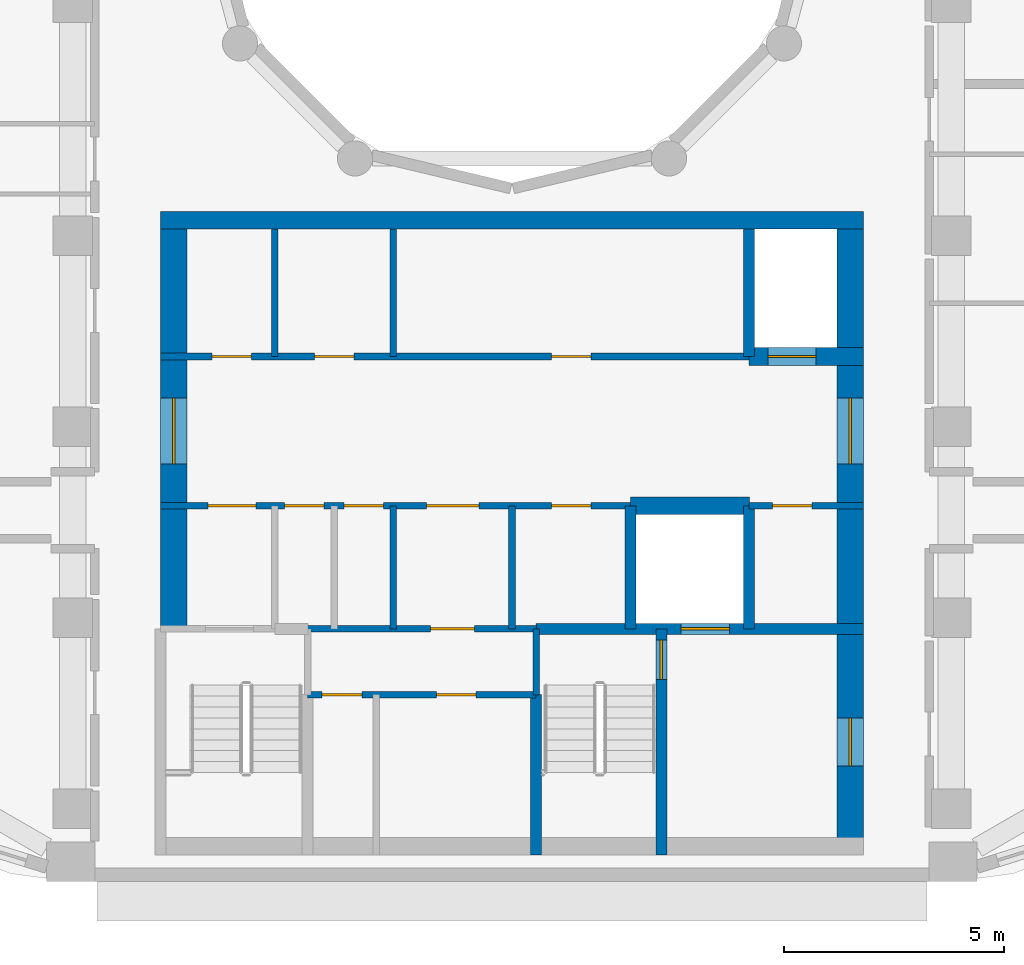
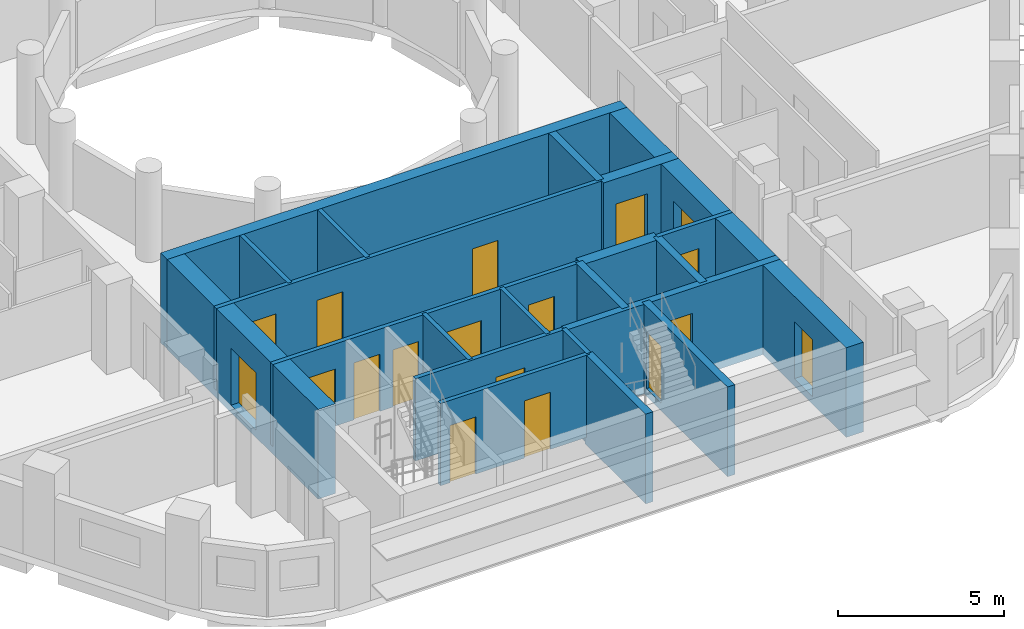
# One storey, part 3 of 14: 21 walls, 18 doors, 18 openings.
"""IFC4 building model written with IfcOpenShell, lengths in metres."""

from ifc_helpers import new_model, si_unit, direction, frame, frame_2d, origin, place, context, subcontext, project, spatial, rectangle, extrude, material, layer, layer_set, type_object, element, fill, save


model = new_model("IFC4")

# Units and contexts
model_context = context("Model", 3, precision=1e-05, world=origin(), true_north=direction((0.0, 1.0)))
body_context = subcontext(model_context, "Body", "Model", "MODEL_VIEW")
ifc_project = project(units=[si_unit("LENGTHUNIT", "METRE"), si_unit("AREAUNIT", "SQUARE_METRE"), si_unit("VOLUMEUNIT", "CUBIC_METRE"), si_unit("PLANEANGLEUNIT", "RADIAN"), si_unit("MASSUNIT", "GRAM", prefix="KILO")], contexts=[model_context])

# Site, building, storey
site_placement = place(None, origin())
site = spatial("IfcSite", under=ifc_project, at=site_placement, CompositionType="ELEMENT")
building_placement = place(site_placement, origin())
building = spatial("IfcBuilding", under=site, at=building_placement, Name="Nakaniwa Court", CompositionType="ELEMENT")
storey_placement = place(building_placement, frame((0.0, 0.0, 259.199951171875)))
storey = spatial("IfcBuildingStorey", under=building, at=storey_placement, Name="L68", CompositionType="ELEMENT", Elevation=259.199951171875)

# Wall
ifc_material_1 = material(Name="Blockwork partition", Category="masonry")
ifc_layer_1 = layer(ifc_material_1, 0.14990234375)
ifc_layer_set_1 = layer_set([ifc_layer_1], Name="Blockwork partition")
wall_type_1 = type_object("IfcWallType", Name="Blockwork partition 150", PredefinedType="PARTITIONING", material=ifc_layer_set_1)
wall_1_placement = place(storey_placement, frame((74.60009765625, 69.300048828125, 0.0), z_axis=(0.0, 0.0, 1.0), x_axis=(0.0, 1.0, 0.0)))
element("IfcWall", 1, at=wall_1_placement, inside=storey, type_object=wall_type_1, Name="Partition PW-030", PredefinedType="PARTITIONING", context=body_context, shape_type="SweptSolid", body=[
    extrude(rectangle(XDim=2.89990234375, YDim=0.14990234375, at=frame_2d((1.449951171875, 0.0))), origin(), (0.0, 0.0, 1.0), 3.025146484375),
])

# Wall, openings, doors
wall_2_placement = place(storey_placement, frame((72.0, 69.300048828125, 0.0), z_axis=(0.0, 0.0, 1.0), x_axis=(1.0, 0.0, 0.0)))
wall_2 = element("IfcWall", 2, at=wall_2_placement, inside=storey, type_object=wall_type_1, Name="Partition PW-031", PredefinedType="PARTITIONING", context=body_context, shape_type="SweptSolid", body=[
    extrude(rectangle(XDim=13.39990234375, YDim=0.14990234375, at=frame_2d((6.699951171875, 0.0))), origin(), (0.0, 0.0, 1.0), 3.025146484375),
])
opening_1_placement = place(wall_2_placement, frame((1.175048828125, 0.0, 0.0)))
opening_1 = element("IfcOpeningElement", 3, at=opening_1_placement, cuts=wall_2, Name="Opening D-05-10", PredefinedType="OPENING", context=body_context, shape_type="SweptSolid", body=[
    extrude(rectangle(XDim=0.89990234375, YDim=2.10009765625, at=frame_2d((0.449951171875, 1.050048828125))), frame((0.0, 0.0849609375, 0.0), z_axis=(0.0, -1.0, 0.0), x_axis=(1.0, 0.0, 0.0)), (0.0, 0.0, 1.0), 0.169921875),
])
opening_2_placement = place(wall_2_placement, frame((3.5, 0.0, 0.0)))
opening_2 = element("IfcOpeningElement", 4, at=opening_2_placement, cuts=wall_2, Name="Opening D-05-11", PredefinedType="OPENING", context=body_context, shape_type="SweptSolid", body=[
    extrude(rectangle(XDim=0.89990234375, YDim=2.10009765625, at=frame_2d((0.449951171875, 1.050048828125))), frame((0.0, 0.0849609375, 0.0), z_axis=(0.0, -1.0, 0.0), x_axis=(1.0, 0.0, 0.0)), (0.0, 0.0, 1.0), 0.169921875),
])
opening_3_placement = place(wall_2_placement, frame((8.89990234375, 0.0, 0.0)))
opening_3 = element("IfcOpeningElement", 5, at=opening_3_placement, cuts=wall_2, Name="Opening D-05-12", PredefinedType="OPENING", context=body_context, shape_type="SweptSolid", body=[
    extrude(rectangle(XDim=0.89990234375, YDim=2.10009765625, at=frame_2d((0.449951171875, 1.050048828125))), frame((0.0, 0.0849609375, 0.0), z_axis=(0.0, -1.0, 0.0), x_axis=(1.0, 0.0, 0.0)), (0.0, 0.0, 1.0), 0.169921875),
])
ifc_material_2 = material(Name="Fire rated steel door set", Category="steel")
door_type_1 = type_object("IfcDoorType", Name="Service room door 900", OperationType="NOTDEFINED", PredefinedType="DOOR", material=ifc_material_2)
door_1_placement = place(opening_1_placement, origin())
door_1 = element("IfcDoor", 6, at=door_1_placement, inside=storey, type_object=door_type_1, Name="Door D-05-10 L68-015", OperationType="SINGLE_SWING_RIGHT", OverallHeight=2.10009765625, OverallWidth=0.89990234375, PredefinedType="DOOR", context=body_context, shape_type="SweptSolid", body=[
    extrude(rectangle(XDim=0.89990234375, YDim=2.10009765625, at=frame_2d((0.449951171875, 1.050048828125))), frame((0.0, 0.02490234375, 0.0), z_axis=(0.0, -1.0, 0.0), x_axis=(1.0, 0.0, 0.0)), (0.0, 0.0, 1.0), 0.050048828125),
])
fill(opening_1, door_1)
door_2_placement = place(opening_2_placement, origin())
door_2 = element("IfcDoor", 7, at=door_2_placement, inside=storey, type_object=door_type_1, Name="Door D-05-11 L68-016", OperationType="SINGLE_SWING_LEFT", OverallHeight=2.10009765625, OverallWidth=0.89990234375, PredefinedType="DOOR", context=body_context, shape_type="SweptSolid", body=[
    extrude(rectangle(XDim=0.89990234375, YDim=2.10009765625, at=frame_2d((0.449951171875, 1.050048828125))), frame((0.0, 0.02490234375, 0.0), z_axis=(0.0, -1.0, 0.0), x_axis=(1.0, 0.0, 0.0)), (0.0, 0.0, 1.0), 0.050048828125),
])
fill(opening_2, door_2)
door_3_placement = place(opening_3_placement, origin())
door_3 = element("IfcDoor", 8, at=door_3_placement, inside=storey, type_object=door_type_1, Name="Door D-05-12 L68-017", OperationType="SINGLE_SWING_RIGHT", OverallHeight=2.10009765625, OverallWidth=0.89990234375, PredefinedType="DOOR", context=body_context, shape_type="SweptSolid", body=[
    extrude(rectangle(XDim=0.89990234375, YDim=2.10009765625, at=frame_2d((0.449951171875, 1.050048828125))), frame((0.0, 0.02490234375, 0.0), z_axis=(0.0, -1.0, 0.0), x_axis=(1.0, 0.0, 0.0)), (0.0, 0.0, 1.0), 0.050048828125),
])
fill(opening_3, door_3)

# Walls
wall_3_placement = place(storey_placement, frame((77.300048828125, 63.10009765625, 0.0), z_axis=(0.0, 0.0, 1.0), x_axis=(0.0, 1.0, 0.0)))
element("IfcWall", 9, at=wall_3_placement, inside=storey, type_object=wall_type_1, Name="Partition PW-037", PredefinedType="PARTITIONING", context=body_context, shape_type="SweptSolid", body=[
    extrude(rectangle(XDim=2.7998046875, YDim=0.14990234375, at=frame_2d((1.39990234375, 0.0))), origin(), (0.0, 0.0, 1.0), 3.025146484375),
])
wall_4_placement = place(storey_placement, frame((77.300048828125, 69.300048828125, 0.0), z_axis=(0.0, 0.0, 1.0), x_axis=(0.0, 1.0, 0.0)))
element("IfcWall", 10, at=wall_4_placement, inside=storey, type_object=wall_type_1, Name="Partition PW-038", PredefinedType="PARTITIONING", context=body_context, shape_type="SweptSolid", body=[
    extrude(rectangle(XDim=2.89990234375, YDim=0.14990234375, at=frame_2d((1.449951171875, 0.0))), origin(), (0.0, 0.0, 1.0), 3.025146484375),
])

# Wall, openings, doors
wall_5_placement = place(storey_placement, frame((82.702880859375, 65.89990234375, 0.0), z_axis=(0.0, 0.0, 1.0), x_axis=(-1.0, 0.0, 0.0)))
wall_5 = element("IfcWall", 11, at=wall_5_placement, inside=storey, type_object=wall_type_1, Name="Partition PW-039", PredefinedType="PARTITIONING", context=body_context, shape_type="SweptSolid", body=[
    extrude(rectangle(XDim=10.702880859375, YDim=0.14990234375, at=frame_2d((5.3515625, 0.0))), origin(), (0.0, 0.0, 1.0), 3.025146484375),
])
opening_4_placement = place(wall_5_placement, frame((8.528076171875, 0.0, 0.0)))
opening_4 = element("IfcOpeningElement", 12, at=opening_4_placement, cuts=wall_5, Name="Opening D-08-02", PredefinedType="OPENING", context=body_context, shape_type="SweptSolid", body=[
    extrude(rectangle(XDim=1.10009765625, YDim=2.10009765625, at=frame_2d((0.550048828125, 1.050048828125))), frame((0.0, 0.0849609375, 0.0), z_axis=(0.0, -1.0, 0.0), x_axis=(1.0, 0.0, 0.0)), (0.0, 0.0, 1.0), 0.169921875),
])
opening_5_placement = place(wall_5_placement, frame((6.97802734375, 0.0, 0.0)))
opening_5 = element("IfcOpeningElement", 13, at=opening_5_placement, cuts=wall_5, Name="Opening D-05-13", PredefinedType="OPENING", context=body_context, shape_type="SweptSolid", body=[
    extrude(rectangle(XDim=0.89990234375, YDim=2.10009765625, at=frame_2d((0.449951171875, 1.050048828125))), frame((0.0, 0.0849609375, 0.0), z_axis=(0.0, -1.0, 0.0), x_axis=(1.0, 0.0, 0.0)), (0.0, 0.0, 1.0), 0.169921875),
])
opening_6_placement = place(wall_5_placement, frame((5.6279296875, 0.0, 0.0)))
opening_6 = element("IfcOpeningElement", 14, at=opening_6_placement, cuts=wall_5, Name="Opening D-05-14", PredefinedType="OPENING", context=body_context, shape_type="SweptSolid", body=[
    extrude(rectangle(XDim=0.89990234375, YDim=2.10009765625, at=frame_2d((0.449951171875, 1.050048828125))), frame((0.0, 0.0849609375, 0.0), z_axis=(0.0, -1.0, 0.0), x_axis=(1.0, 0.0, 0.0)), (0.0, 0.0, 1.0), 0.169921875),
])
opening_7_placement = place(wall_5_placement, frame((3.452880859375, 0.0, 0.0)))
opening_7 = element("IfcOpeningElement", 15, at=opening_7_placement, cuts=wall_5, Name="Opening D-06-02", PredefinedType="OPENING", context=body_context, shape_type="SweptSolid", body=[
    extrude(rectangle(XDim=1.199951171875, YDim=2.10009765625, at=frame_2d((0.60009765625, 1.050048828125))), frame((0.0, 0.0849609375, 0.0), z_axis=(0.0, -1.0, 0.0), x_axis=(1.0, 0.0, 0.0)), (0.0, 0.0, 1.0), 0.169921875),
])
opening_8_placement = place(wall_5_placement, frame((0.903076171875, 0.0, 0.0)))
opening_8 = element("IfcOpeningElement", 16, at=opening_8_placement, cuts=wall_5, Name="Opening D-05-15", PredefinedType="OPENING", context=body_context, shape_type="SweptSolid", body=[
    extrude(rectangle(XDim=0.89990234375, YDim=2.10009765625, at=frame_2d((0.449951171875, 1.050048828125))), frame((0.0, 0.0849609375, 0.0), z_axis=(0.0, -1.0, 0.0), x_axis=(1.0, 0.0, 0.0)), (0.0, 0.0, 1.0), 0.169921875),
])
ifc_material_3 = material(Name="Fire rated steel double door set", Category="steel")
door_type_2 = type_object("IfcDoorType", Name="Service passage double door 1200", OperationType="NOTDEFINED", PredefinedType="DOOR", material=ifc_material_3)
door_4_placement = place(opening_7_placement, origin())
door_4 = element("IfcDoor", 17, at=door_4_placement, inside=storey, type_object=door_type_2, Name="Door D-06-02 L68-021", OperationType="DOUBLE_DOOR_SINGLE_SWING", OverallHeight=2.10009765625, OverallWidth=1.199951171875, PredefinedType="DOOR", context=body_context, shape_type="SweptSolid", body=[
    extrude(rectangle(XDim=1.199951171875, YDim=2.10009765625, at=frame_2d((0.60009765625, 1.050048828125))), frame((0.0, 0.02490234375, 0.0), z_axis=(0.0, -1.0, 0.0), x_axis=(1.0, 0.0, 0.0)), (0.0, 0.0, 1.0), 0.050048828125),
])
fill(opening_7, door_4)
door_5_placement = place(opening_5_placement, origin())
door_5 = element("IfcDoor", 18, at=door_5_placement, inside=storey, type_object=door_type_1, Name="Door D-05-13 L68-019", OperationType="SINGLE_SWING_RIGHT", OverallHeight=2.10009765625, OverallWidth=0.89990234375, PredefinedType="DOOR", context=body_context, shape_type="SweptSolid", body=[
    extrude(rectangle(XDim=0.89990234375, YDim=2.10009765625, at=frame_2d((0.449951171875, 1.050048828125))), frame((0.0, 0.02490234375, 0.0), z_axis=(0.0, -1.0, 0.0), x_axis=(1.0, 0.0, 0.0)), (0.0, 0.0, 1.0), 0.050048828125),
])
fill(opening_5, door_5)
door_6_placement = place(opening_6_placement, origin())
door_6 = element("IfcDoor", 19, at=door_6_placement, inside=storey, type_object=door_type_1, Name="Door D-05-14 L68-020", OperationType="SINGLE_SWING_LEFT", OverallHeight=2.10009765625, OverallWidth=0.89990234375, PredefinedType="DOOR", context=body_context, shape_type="SweptSolid", body=[
    extrude(rectangle(XDim=0.89990234375, YDim=2.10009765625, at=frame_2d((0.449951171875, 1.050048828125))), frame((0.0, 0.02490234375, 0.0), z_axis=(0.0, -1.0, 0.0), x_axis=(1.0, 0.0, 0.0)), (0.0, 0.0, 1.0), 0.050048828125),
])
fill(opening_6, door_6)
door_7_placement = place(opening_8_placement, origin())
door_7 = element("IfcDoor", 20, at=door_7_placement, inside=storey, type_object=door_type_1, Name="Door D-05-15 L68-022", OperationType="SINGLE_SWING_LEFT", OverallHeight=2.10009765625, OverallWidth=0.89990234375, PredefinedType="DOOR", context=body_context, shape_type="SweptSolid", body=[
    extrude(rectangle(XDim=0.89990234375, YDim=2.10009765625, at=frame_2d((0.449951171875, 1.050048828125))), frame((0.0, 0.02490234375, 0.0), z_axis=(0.0, -1.0, 0.0), x_axis=(1.0, 0.0, 0.0)), (0.0, 0.0, 1.0), 0.050048828125),
])
fill(opening_8, door_7)
door_type_3 = type_object("IfcDoorType", Name="Stair lobby door 1100", OperationType="NOTDEFINED", PredefinedType="DOOR", material=ifc_material_2)
door_8_placement = place(opening_4_placement, origin())
door_8 = element("IfcDoor", 21, at=door_8_placement, inside=storey, type_object=door_type_3, Name="Door D-08-02 L68-018", OperationType="SINGLE_SWING_LEFT", OverallHeight=2.10009765625, OverallWidth=1.10009765625, PredefinedType="DOOR", context=body_context, shape_type="SweptSolid", body=[
    extrude(rectangle(XDim=1.10009765625, YDim=2.10009765625, at=frame_2d((0.550048828125, 1.050048828125))), frame((0.0, 0.02490234375, 0.0), z_axis=(0.0, -1.0, 0.0), x_axis=(1.0, 0.0, 0.0)), (0.0, 0.0, 1.0), 0.050048828125),
])
fill(opening_4, door_8)

# Wall, opening, door
wall_6_placement = place(storey_placement, frame((88.0, 65.89990234375, 0.0), z_axis=(0.0, 0.0, 1.0), x_axis=(-1.0, 0.0, 0.0)))
wall_6 = element("IfcWall", 22, at=wall_6_placement, inside=storey, type_object=wall_type_1, Name="Partition PW-040", PredefinedType="PARTITIONING", context=body_context, shape_type="SweptSolid", body=[
    extrude(rectangle(XDim=2.60302734375, YDim=0.14990234375, at=frame_2d((1.301513671875, 0.0))), origin(), (0.0, 0.0, 1.0), 3.025146484375),
])
opening_9_placement = place(wall_6_placement, frame((1.175048828125, 0.0, 0.0)))
opening_9 = element("IfcOpeningElement", 23, at=opening_9_placement, cuts=wall_6, Name="Opening D-05-16", PredefinedType="OPENING", context=body_context, shape_type="SweptSolid", body=[
    extrude(rectangle(XDim=0.89990234375, YDim=2.10009765625, at=frame_2d((0.449951171875, 1.050048828125))), frame((0.0, 0.0849609375, 0.0), z_axis=(0.0, -1.0, 0.0), x_axis=(1.0, 0.0, 0.0)), (0.0, 0.0, 1.0), 0.169921875),
])
door_9_placement = place(opening_9_placement, origin())
door_9 = element("IfcDoor", 24, at=door_9_placement, inside=storey, type_object=door_type_1, Name="Door D-05-16 L68-023", OperationType="SINGLE_SWING_RIGHT", OverallHeight=2.10009765625, OverallWidth=0.89990234375, PredefinedType="DOOR", context=body_context, shape_type="SweptSolid", body=[
    extrude(rectangle(XDim=0.89990234375, YDim=2.10009765625, at=frame_2d((0.449951171875, 1.050048828125))), frame((0.0, 0.02490234375, 0.0), z_axis=(0.0, -1.0, 0.0), x_axis=(1.0, 0.0, 0.0)), (0.0, 0.0, 1.0), 0.050048828125),
])
fill(opening_9, door_9)

wall_7_placement = place(storey_placement, frame((80.552978515625, 63.10009765625, 0.0), z_axis=(0.0, 0.0, 1.0), x_axis=(-1.0, 0.0, 0.0)))
wall_7 = element("IfcWall", 25, at=wall_7_placement, inside=storey, type_object=wall_type_1, Name="Partition PW-046", PredefinedType="PARTITIONING", context=body_context, shape_type="SweptSolid", body=[
    extrude(rectangle(XDim=5.2060546875, YDim=0.14990234375, at=frame_2d((2.60302734375, 0.0))), origin(), (0.0, 0.0, 1.0), 3.025146484375),
])
opening_10_placement = place(wall_7_placement, frame((1.403076171875, 0.0, 0.0)))
opening_10 = element("IfcOpeningElement", 26, at=opening_10_placement, cuts=wall_7, Name="Opening D-23-02", PredefinedType="OPENING", context=body_context, shape_type="SweptSolid", body=[
    extrude(rectangle(XDim=1.0, YDim=2.10009765625, at=frame_2d((0.5, 1.050048828125))), frame((0.0, 0.0849609375, 0.0), z_axis=(0.0, -1.0, 0.0), x_axis=(1.0, 0.0, 0.0)), (0.0, 0.0, 1.0), 0.169921875),
])
door_type_4 = type_object("IfcDoorType", Name="Service room door 1000", OperationType="NOTDEFINED", PredefinedType="DOOR", material=ifc_material_2)
door_10_placement = place(opening_10_placement, origin())
door_10 = element("IfcDoor", 27, at=door_10_placement, inside=storey, type_object=door_type_4, Name="Door D-23-02 L68-024", OperationType="SINGLE_SWING_LEFT", OverallHeight=2.10009765625, OverallWidth=1.0, PredefinedType="DOOR", context=body_context, shape_type="SweptSolid", body=[
    extrude(rectangle(XDim=1.0, YDim=2.10009765625, at=frame_2d((0.5, 1.050048828125))), frame((0.0, 0.02490234375, 0.0), z_axis=(0.0, -1.0, 0.0), x_axis=(1.0, 0.0, 0.0)), (0.0, 0.0, 1.0), 0.050048828125),
])
fill(opening_10, door_10)

# Wall
wall_8_placement = place(storey_placement, frame((80.0, 63.10009765625, 0.0), z_axis=(0.0, 0.0, 1.0), x_axis=(0.0, 1.0, 0.0)))
element("IfcWall", 28, at=wall_8_placement, inside=storey, type_object=wall_type_1, Name="Partition PW-047", PredefinedType="PARTITIONING", context=body_context, shape_type="SweptSolid", body=[
    extrude(rectangle(XDim=2.7998046875, YDim=0.14990234375, at=frame_2d((1.39990234375, 0.0))), origin(), (0.0, 0.0, 1.0), 3.025146484375),
])

# Wall, openings, doors
wall_9_placement = place(storey_placement, frame((80.550048828125, 61.60009765625, 0.0), z_axis=(0.0, 0.0, 1.0), x_axis=(-1.0, 0.0, 0.0)))
wall_9 = element("IfcWall", 29, at=wall_9_placement, inside=storey, type_object=wall_type_1, Name="Partition PW-055", PredefinedType="PARTITIONING", context=body_context, shape_type="SweptSolid", body=[
    extrude(rectangle(XDim=5.199951171875, YDim=0.14990234375, at=frame_2d((2.60009765625, 0.0))), origin(), (0.0, 0.0, 1.0), 3.025146484375),
])
opening_11_placement = place(wall_9_placement, frame((3.969970703125, 0.0, 0.0)))
opening_11 = element("IfcOpeningElement", 30, at=opening_11_placement, cuts=wall_9, Name="Opening D-05-17", PredefinedType="OPENING", context=body_context, shape_type="SweptSolid", body=[
    extrude(rectangle(XDim=0.89990234375, YDim=2.10009765625, at=frame_2d((0.449951171875, 1.050048828125))), frame((0.0, 0.0849609375, 0.0), z_axis=(0.0, -1.0, 0.0), x_axis=(1.0, 0.0, 0.0)), (0.0, 0.0, 1.0), 0.169921875),
])
opening_12_placement = place(wall_9_placement, frame((1.3701171875, 0.0, 0.0)))
opening_12 = element("IfcOpeningElement", 31, at=opening_12_placement, cuts=wall_9, Name="Opening D-05-18", PredefinedType="OPENING", context=body_context, shape_type="SweptSolid", body=[
    extrude(rectangle(XDim=0.89990234375, YDim=2.10009765625, at=frame_2d((0.449951171875, 1.050048828125))), frame((0.0, 0.0849609375, 0.0), z_axis=(0.0, -1.0, 0.0), x_axis=(1.0, 0.0, 0.0)), (0.0, 0.0, 1.0), 0.169921875),
])
door_11_placement = place(opening_11_placement, origin())
door_11 = element("IfcDoor", 32, at=door_11_placement, inside=storey, type_object=door_type_1, Name="Door D-05-17 L68-025", OperationType="SINGLE_SWING_RIGHT", OverallHeight=2.10009765625, OverallWidth=0.89990234375, PredefinedType="DOOR", context=body_context, shape_type="SweptSolid", body=[
    extrude(rectangle(XDim=0.89990234375, YDim=2.10009765625, at=frame_2d((0.449951171875, 1.050048828125))), frame((0.0, 0.02490234375, 0.0), z_axis=(0.0, -1.0, 0.0), x_axis=(1.0, 0.0, 0.0)), (0.0, 0.0, 1.0), 0.050048828125),
])
fill(opening_11, door_11)
door_12_placement = place(opening_12_placement, origin())
door_12 = element("IfcDoor", 33, at=door_12_placement, inside=storey, type_object=door_type_1, Name="Door D-05-18 L68-026", OperationType="SINGLE_SWING_LEFT", OverallHeight=2.10009765625, OverallWidth=0.89990234375, PredefinedType="DOOR", context=body_context, shape_type="SweptSolid", body=[
    extrude(rectangle(XDim=0.89990234375, YDim=2.10009765625, at=frame_2d((0.449951171875, 1.050048828125))), frame((0.0, 0.02490234375, 0.0), z_axis=(0.0, -1.0, 0.0), x_axis=(1.0, 0.0, 0.0)), (0.0, 0.0, 1.0), 0.050048828125),
])
fill(opening_12, door_12)

# Wall, opening, door
ifc_material_4 = material(Name="Concrete C80/100", Category="concrete")
ifc_layer_2 = layer(ifc_material_4, 0.60009765625)
ifc_layer_set_2 = layer_set([ifc_layer_2], Name="Concrete C80/100")
wall_type_2 = type_object("IfcWallType", Name="Concrete core side wall 600 C80", PredefinedType="SHEAR", material=ifc_layer_set_2)
wall_10_placement = place(storey_placement, frame((72.300048828125, 63.10009765625, -0.27490234375), z_axis=(0.0, 0.0, 1.0), x_axis=(0.0, 1.0, 0.0)))
wall_10 = element("IfcWall", 34, at=wall_10_placement, inside=storey, type_object=wall_type_2, Name="Core wall SW-32", PredefinedType="SHEAR", context=body_context, shape_type="SweptSolid", body=[
    extrude(rectangle(XDim=9.099853515625, YDim=0.60009765625, at=frame_2d((4.5498046875, 0.0))), origin(), (0.0, 0.0, 1.0), 3.300048828125),
])
opening_13_placement = place(wall_10_placement, frame((3.75, 0.0, 0.27490234375)))
opening_13 = element("IfcOpeningElement", 35, at=opening_13_placement, cuts=wall_10, Name="Opening D-07-04", PredefinedType="OPENING", context=body_context, shape_type="SweptSolid", body=[
    extrude(rectangle(XDim=1.5, YDim=2.10009765625, at=frame_2d((0.75, 1.050048828125))), frame((0.0, 0.31005859375, 0.0), z_axis=(0.0, -1.0, 0.0), x_axis=(1.0, 0.0, 0.0)), (0.0, 0.0, 1.0), 0.6201171875),
])
ifc_material_5 = material(Name="Glazed fire rated steel double door set", Category="steel")
door_type_5 = type_object("IfcDoorType", Name="Lobby double door 1500", OperationType="NOTDEFINED", PredefinedType="DOOR", material=ifc_material_5)
door_13_placement = place(opening_13_placement, origin())
door_13 = element("IfcDoor", 36, at=door_13_placement, inside=storey, type_object=door_type_5, Name="Door D-07-04 L68-063", OperationType="DOUBLE_DOOR_SINGLE_SWING", OverallHeight=2.10009765625, OverallWidth=1.5, PredefinedType="DOOR", context=body_context, shape_type="SweptSolid", body=[
    extrude(rectangle(XDim=1.5, YDim=2.10009765625, at=frame_2d((0.75, 1.050048828125))), frame((0.0, 0.02490234375, 0.0), z_axis=(0.0, -1.0, 0.0), x_axis=(1.0, 0.0, 0.0)), (0.0, 0.0, 1.0), 0.050048828125),
])
fill(opening_13, door_13)

# Wall, openings, doors
wall_11_placement = place(storey_placement, frame((87.699951171875, 72.199951171875, -0.27490234375), z_axis=(0.0, 0.0, 1.0), x_axis=(0.0, -1.0, 0.0)))
wall_11 = element("IfcWall", 37, at=wall_11_placement, inside=storey, type_object=wall_type_2, Name="Core wall SW-36", PredefinedType="SHEAR", context=body_context, shape_type="SweptSolid", body=[
    extrude(rectangle(XDim=14.25, YDim=0.60009765625, at=frame_2d((7.125, 0.0))), origin(), (0.0, 0.0, 1.0), 3.300048828125),
])
opening_14_placement = place(wall_11_placement, frame((3.85009765625, 0.0, 0.27490234375)))
opening_14 = element("IfcOpeningElement", 38, at=opening_14_placement, cuts=wall_11, Name="Opening D-07-03", PredefinedType="OPENING", context=body_context, shape_type="SweptSolid", body=[
    extrude(rectangle(XDim=1.5, YDim=2.10009765625, at=frame_2d((0.75, 1.050048828125))), frame((0.0, 0.31005859375, 0.0), z_axis=(0.0, -1.0, 0.0), x_axis=(1.0, 0.0, 0.0)), (0.0, 0.0, 1.0), 0.6201171875),
])
opening_15_placement = place(wall_11_placement, frame((11.125, 0.0, 0.27490234375)))
opening_15 = element("IfcOpeningElement", 39, at=opening_15_placement, cuts=wall_11, Name="Opening D-10-02", PredefinedType="OPENING", context=body_context, shape_type="SweptSolid", body=[
    extrude(rectangle(XDim=1.10009765625, YDim=2.10009765625, at=frame_2d((0.550048828125, 1.050048828125))), frame((0.0, 0.31005859375, 0.0), z_axis=(0.0, -1.0, 0.0), x_axis=(1.0, 0.0, 0.0)), (0.0, 0.0, 1.0), 0.6201171875),
])
door_type_6 = type_object("IfcDoorType", Name="Firefighting lobby door 1100", OperationType="NOTDEFINED", PredefinedType="DOOR", material=ifc_material_2)
door_14_placement = place(opening_15_placement, origin())
door_14 = element("IfcDoor", 40, at=door_14_placement, inside=storey, type_object=door_type_6, Name="Door D-10-02 L68-064", OperationType="SINGLE_SWING_LEFT", OverallHeight=2.10009765625, OverallWidth=1.10009765625, PredefinedType="DOOR", context=body_context, shape_type="SweptSolid", body=[
    extrude(rectangle(XDim=1.10009765625, YDim=2.10009765625, at=frame_2d((0.550048828125, 1.050048828125))), frame((0.0, 0.02490234375, 0.0), z_axis=(0.0, -1.0, 0.0), x_axis=(1.0, 0.0, 0.0)), (0.0, 0.0, 1.0), 0.050048828125),
])
fill(opening_15, door_14)
door_15_placement = place(opening_14_placement, origin())
door_15 = element("IfcDoor", 41, at=door_15_placement, inside=storey, type_object=door_type_5, Name="Door D-07-03 L68-062", OperationType="DOUBLE_DOOR_SINGLE_SWING", OverallHeight=2.10009765625, OverallWidth=1.5, PredefinedType="DOOR", context=body_context, shape_type="SweptSolid", body=[
    extrude(rectangle(XDim=1.5, YDim=2.10009765625, at=frame_2d((0.75, 1.050048828125))), frame((0.0, 0.02490234375, 0.0), z_axis=(0.0, -1.0, 0.0), x_axis=(1.0, 0.0, 0.0)), (0.0, 0.0, 1.0), 0.050048828125),
])
fill(opening_14, door_15)

# Wall, opening, door
ifc_layer_3 = layer(ifc_material_4, 0.39990234375)
ifc_layer_set_3 = layer_set([ifc_layer_3], Name="Concrete C80/100")
wall_type_3 = type_object("IfcWallType", Name="Concrete core spine wall 400 C80", PredefinedType="SHEAR", material=ifc_layer_set_3)
wall_12_placement = place(storey_placement, frame((85.39990234375, 69.300048828125, -0.27490234375), z_axis=(0.0, 0.0, 1.0), x_axis=(1.0, 0.0, 0.0)))
wall_12 = element("IfcWall", 42, at=wall_12_placement, inside=storey, type_object=wall_type_3, Name="Core wall SW-35", PredefinedType="SHEAR", context=body_context, shape_type="SweptSolid", body=[
    extrude(rectangle(XDim=2.60009765625, YDim=0.39990234375, at=frame_2d((1.300048828125, 0.0))), origin(), (0.0, 0.0, 1.0), 3.300048828125),
])
opening_16_placement = place(wall_12_placement, frame((0.425048828125, 0.0, 0.27490234375)))
opening_16 = element("IfcOpeningElement", 43, at=opening_16_placement, cuts=wall_12, Name="Opening LD03", PredefinedType="OPENING", context=body_context, shape_type="SweptSolid", body=[
    extrude(rectangle(XDim=1.10009765625, YDim=2.10009765625, at=frame_2d((0.550048828125, 1.050048828125))), frame((0.0, 0.2099609375, 0.0), z_axis=(0.0, -1.0, 0.0), x_axis=(1.0, 0.0, 0.0)), (0.0, 0.0, 1.0), 0.419921875),
])
ifc_material_6 = material(Name="Stainless steel sliding lift landing door", Category="steel")
door_type_7 = type_object("IfcDoorType", Name="Lift landing door 1100", OperationType="NOTDEFINED", PredefinedType="DOOR", material=ifc_material_6)
door_16_placement = place(opening_16_placement, origin())
door_16 = element("IfcDoor", 44, at=door_16_placement, inside=storey, type_object=door_type_7, Name="Lift landing door LD03 L68-003", OperationType="SLIDING_TO_LEFT", OverallHeight=2.10009765625, OverallWidth=1.10009765625, PredefinedType="DOOR", context=body_context, shape_type="SweptSolid", body=[
    extrude(rectangle(XDim=1.10009765625, YDim=2.10009765625, at=frame_2d((0.550048828125, 1.050048828125))), frame((0.0, 0.02490234375, 0.0), z_axis=(0.0, -1.0, 0.0), x_axis=(1.0, 0.0, 0.0)), (0.0, 0.0, 1.0), 0.050048828125),
])
fill(opening_16, door_16)

# Walls
wall_13_placement = place(storey_placement, frame((82.697021484375, 65.89990234375, -0.27490234375), z_axis=(0.0, 0.0, 1.0), x_axis=(1.0, 0.0, 0.0)))
element("IfcWall", 45, at=wall_13_placement, inside=storey, type_object=wall_type_3, Name="Core wall SW-41", PredefinedType="SHEAR", context=body_context, shape_type="SweptSolid", body=[
    extrude(rectangle(XDim=2.7060546875, YDim=0.39990234375, at=frame_2d((1.35302734375, 0.0))), origin(), (0.0, 0.0, 1.0), 3.300048828125),
])
ifc_layer_4 = layer(ifc_material_4, 0.14990234375)
ifc_layer_set_4 = layer_set([ifc_layer_4], Name="Concrete C80/100")
wall_type_4 = type_object("IfcWallType", Name="Concrete core wall 150 C80", PredefinedType="SHEAR", material=ifc_layer_set_4)
wall_14_placement = place(storey_placement, frame((80.550048828125, 61.596923828125, -0.27490234375), z_axis=(0.0, 0.0, 1.0), x_axis=(0.0, 1.0, 0.0)))
element("IfcWall", 46, at=wall_14_placement, inside=storey, type_object=wall_type_4, Name="Core wall SW-53", PredefinedType="SHEAR", context=body_context, shape_type="SweptSolid", body=[
    extrude(rectangle(XDim=1.503173828125, YDim=0.14990234375, at=frame_2d((0.75146484375, 0.0))), origin(), (0.0, 0.0, 1.0), 3.300048828125),
])
ifc_layer_5 = layer(ifc_material_4, 0.39990234375)
ifc_layer_set_5 = layer_set([ifc_layer_5], Name="Concrete C80/100")
wall_type_5 = type_object("IfcWallType", Name="Concrete core well wall 400 C80", PredefinedType="SHEAR", material=ifc_layer_set_5)
wall_15_placement = place(storey_placement, frame((72.00390625, 72.39990234375, -0.27490234375), z_axis=(0.0, 0.0, 1.0), x_axis=(1.0, 0.0, 0.0)))
element("IfcWall", 47, at=wall_15_placement, inside=storey, type_object=wall_type_5, Name="Core wall SW-128", PredefinedType="SHEAR", context=body_context, shape_type="SweptSolid", body=[
    extrude(rectangle(XDim=15.9921875, YDim=0.39990234375, at=frame_2d((7.99609375, 0.0))), origin(), (0.0, 0.0, 1.0), 3.300048828125),
])
ifc_layer_6 = layer(ifc_material_4, 0.25)
ifc_layer_set_6 = layer_set([ifc_layer_6], Name="Concrete C80/100")
wall_type_6 = type_object("IfcWallType", Name="Concrete shaft wall 250 C80", PredefinedType="SHEAR", material=ifc_layer_set_6)
wall_16_placement = place(storey_placement, frame((85.39990234375, 63.10009765625, -0.27490234375), z_axis=(0.0, 0.0, 1.0), x_axis=(0.0, 1.0, 0.0)))
element("IfcWall", 48, at=wall_16_placement, inside=storey, type_object=wall_type_6, Name="Core wall SW-33", PredefinedType="SHEAR", context=body_context, shape_type="SweptSolid", body=[
    extrude(rectangle(XDim=2.7998046875, YDim=0.25, at=frame_2d((1.39990234375, 0.0))), origin(), (0.0, 0.0, 1.0), 3.300048828125),
])
wall_17_placement = place(storey_placement, frame((85.39990234375, 69.300048828125, -0.27490234375), z_axis=(0.0, 0.0, 1.0), x_axis=(0.0, 1.0, 0.0)))
element("IfcWall", 49, at=wall_17_placement, inside=storey, type_object=wall_type_6, Name="Core wall SW-34", PredefinedType="SHEAR", context=body_context, shape_type="SweptSolid", body=[
    extrude(rectangle(XDim=2.89990234375, YDim=0.25, at=frame_2d((1.449951171875, 0.0))), origin(), (0.0, 0.0, 1.0), 3.300048828125),
])

# Wall, opening, door
wall_18_placement = place(storey_placement, frame((80.547119140625, 63.10009765625, -0.27490234375), z_axis=(0.0, 0.0, 1.0), x_axis=(1.0, 0.0, 0.0)))
wall_18 = element("IfcWall", 50, at=wall_18_placement, inside=storey, type_object=wall_type_6, Name="Core wall SW-45", PredefinedType="SHEAR", context=body_context, shape_type="SweptSolid", body=[
    extrude(rectangle(XDim=7.452880859375, YDim=0.25, at=frame_2d((3.7265625, 0.0))), origin(), (0.0, 0.0, 1.0), 3.300048828125),
])
opening_17_placement = place(wall_18_placement, frame((3.302001953125, 0.0, 0.27490234375)))
opening_17 = element("IfcOpeningElement", 51, at=opening_17_placement, cuts=wall_18, Name="Opening LD04", PredefinedType="OPENING", context=body_context, shape_type="SweptSolid", body=[
    extrude(rectangle(XDim=1.10009765625, YDim=2.10009765625, at=frame_2d((0.550048828125, 1.050048828125))), frame((0.0, 0.135009765625, 0.0), z_axis=(0.0, -1.0, 0.0), x_axis=(1.0, 0.0, 0.0)), (0.0, 0.0, 1.0), 0.27001953125),
])
door_17_placement = place(opening_17_placement, origin())
door_17 = element("IfcDoor", 52, at=door_17_placement, inside=storey, type_object=door_type_7, Name="Lift landing door LD04 L68-004", OperationType="SLIDING_TO_LEFT", OverallHeight=2.10009765625, OverallWidth=1.10009765625, PredefinedType="DOOR", context=body_context, shape_type="SweptSolid", body=[
    extrude(rectangle(XDim=1.10009765625, YDim=2.10009765625, at=frame_2d((0.550048828125, 1.050048828125))), frame((0.0, 0.02490234375, 0.0), z_axis=(0.0, -1.0, 0.0), x_axis=(1.0, 0.0, 0.0)), (0.0, 0.0, 1.0), 0.050048828125),
])
fill(opening_17, door_17)

# Wall
wall_19_placement = place(storey_placement, frame((82.699951171875, 63.10009765625, -0.27490234375), z_axis=(0.0, 0.0, 1.0), x_axis=(0.0, 1.0, 0.0)))
element("IfcWall", 53, at=wall_19_placement, inside=storey, type_object=wall_type_6, Name="Core wall SW-48", PredefinedType="SHEAR", context=body_context, shape_type="SweptSolid", body=[
    extrude(rectangle(XDim=2.7998046875, YDim=0.25, at=frame_2d((1.39990234375, 0.0))), origin(), (0.0, 0.0, 1.0), 3.300048828125),
])

# Wall, opening, door
wall_20_placement = place(storey_placement, frame((83.39990234375, 63.10009765625, -0.27490234375), z_axis=(0.0, 0.0, 1.0), x_axis=(0.0, -1.0, 0.0)))
wall_20 = element("IfcWall", 54, at=wall_20_placement, inside=storey, type_object=wall_type_6, Name="Core wall SW-52", PredefinedType="SHEAR", context=body_context, shape_type="SweptSolid", body=[
    extrude(rectangle(XDim=5.150146484375, YDim=0.25, at=frame_2d((2.5751953125, 0.0))), origin(), (0.0, 0.0, 1.0), 3.300048828125),
])
opening_18_placement = place(wall_20_placement, frame((0.25, 0.0, 0.27490234375)))
opening_18 = element("IfcOpeningElement", 55, at=opening_18_placement, cuts=wall_20, Name="Opening D-11-02", PredefinedType="OPENING", context=body_context, shape_type="SweptSolid", body=[
    extrude(rectangle(XDim=0.89990234375, YDim=2.10009765625, at=frame_2d((0.449951171875, 1.050048828125))), frame((0.0, 0.135009765625, 0.0), z_axis=(0.0, -1.0, 0.0), x_axis=(1.0, 0.0, 0.0)), (0.0, 0.0, 1.0), 0.27001953125),
])
door_type_8 = type_object("IfcDoorType", Name="Stair door 900", OperationType="NOTDEFINED", PredefinedType="DOOR", material=ifc_material_2)
door_18_placement = place(opening_18_placement, origin())
door_18 = element("IfcDoor", 56, at=door_18_placement, inside=storey, type_object=door_type_8, Name="Door D-11-02 L68-028", OperationType="SINGLE_SWING_RIGHT", OverallHeight=2.10009765625, OverallWidth=0.89990234375, PredefinedType="DOOR", context=body_context, shape_type="SweptSolid", body=[
    extrude(rectangle(XDim=0.89990234375, YDim=2.10009765625, at=frame_2d((0.449951171875, 1.050048828125))), frame((0.0, 0.02490234375, 0.0), z_axis=(0.0, -1.0, 0.0), x_axis=(1.0, 0.0, 0.0)), (0.0, 0.0, 1.0), 0.050048828125),
])
fill(opening_18, door_18)

# Wall
wall_21_placement = place(storey_placement, frame((80.550048828125, 57.949951171875, -0.27490234375), z_axis=(0.0, 0.0, 1.0), x_axis=(0.0, 1.0, 0.0)))
element("IfcWall", 57, at=wall_21_placement, inside=storey, type_object=wall_type_6, Name="Core wall SW-54", PredefinedType="SHEAR", context=body_context, shape_type="SweptSolid", body=[
    extrude(rectangle(XDim=3.653076171875, YDim=0.25, at=frame_2d((1.82666015625, 0.0))), origin(), (0.0, 0.0, 1.0), 3.300048828125),
])

save(model, "model.ifc")
